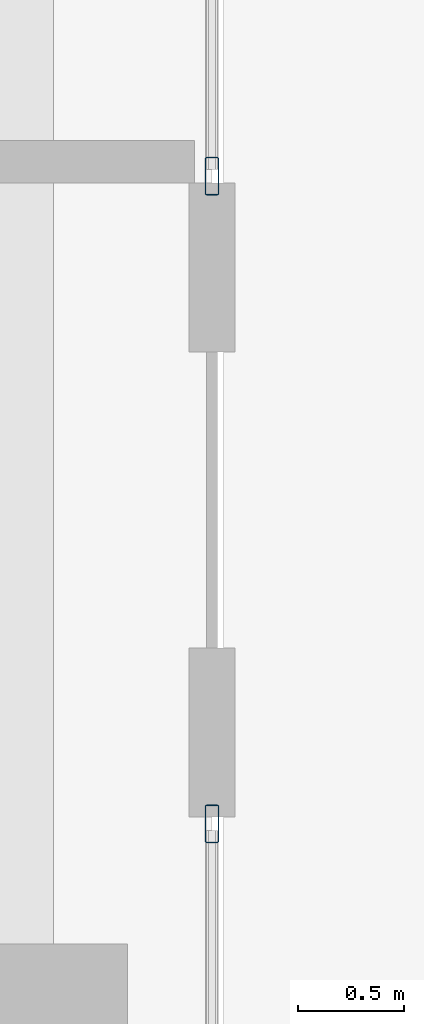
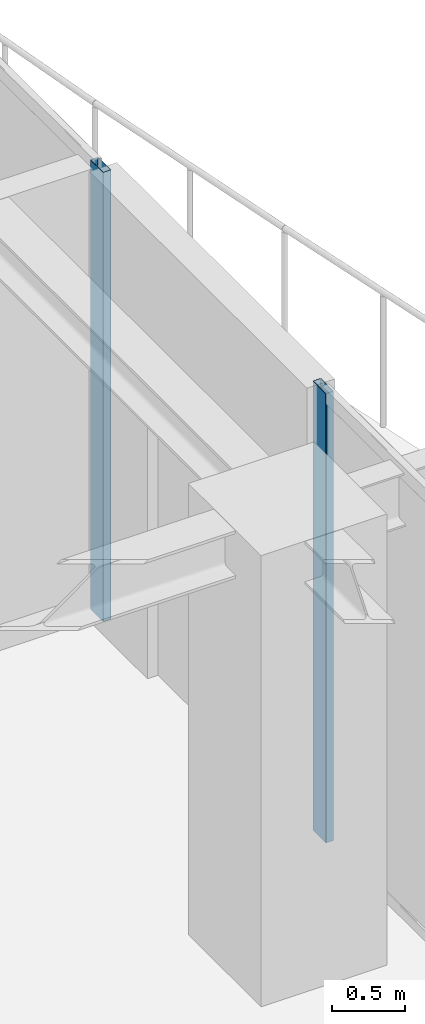
# One storey, part 18 of 40: 2 members, 2 elements without a shape of their own.
"""IFC4 building model written with IfcOpenShell, lengths in metres."""

from ifc_helpers import new_model, si_unit, direction, frame, origin, origin_2d, place, context, subcontext, project, spatial, hollow_rectangle, extrude, source, transform, mapped, material, layer, layer_set, material_profile, profile_set, type_object, element, aggregate, save


model = new_model("IFC4")

# Units and contexts
model_context = context("Model", 3, precision=1e-05, world=origin(), true_north=direction((0.0, 1.0)))
body_context = subcontext(model_context, "Body", "Model", "MODEL_VIEW")
ifc_project = project(units=[si_unit("LENGTHUNIT", "METRE"), si_unit("AREAUNIT", "SQUARE_METRE"), si_unit("VOLUMEUNIT", "CUBIC_METRE"), si_unit("PLANEANGLEUNIT", "RADIAN"), si_unit("MASSUNIT", "GRAM", prefix="KILO")], contexts=[model_context])

# Site, building, storey
site_placement = place(None, origin())
site = spatial("IfcSite", under=ifc_project, at=site_placement, CompositionType="ELEMENT")
building_placement = place(site_placement, origin())
building = spatial("IfcBuilding", under=site, at=building_placement, Name="Serunith Strait Residences", CompositionType="ELEMENT")
storey_placement = place(building_placement, frame((0.0, 0.0, 313.699951171875)))
storey = spatial("IfcBuildingStorey", under=building, at=storey_placement, Name="L78", CompositionType="ELEMENT", Elevation=313.699951171875)

# Curtain wall, member
ifc_material = material(Name="Brushed Stainless-Silver Aluminium", Category="aluminium")
ifc_layer = layer(ifc_material, 0.199951171875, Name="Brushed Stainless-Silver Aluminium")
ifc_layer_set = layer_set([ifc_layer], Name="Brushed Stainless-Silver Aluminium")
curtain_wall_type = type_object("IfcCurtainWallType", Name="CW-SYS5", PredefinedType="NOTDEFINED", material=ifc_layer_set)
curtain_wall_1_placement = place(storey_placement, origin())
curtain_wall_1 = element("IfcCurtainWall", 1, at=curtain_wall_1_placement, inside=storey, type_object=curtain_wall_type, Name="L78 E Unitised Fritted Curtain Wall", PredefinedType="NOTDEFINED")
ifc_material_profile = material_profile(ifc_material, hollow_rectangle(XDim=0.06494140625, YDim=0.179931640625, WallThickness=0.00341796875, InnerFilletRadius=0.00537109375, OuterFilletRadius=0.0087890625, at=origin_2d()), Name="ALU 180x65x3.5")
ifc_profile_set = profile_set([ifc_material_profile], Name="Brushed Stainless-Silver Aluminium")
member_type = type_object("IfcMemberType", Name="CW-SYS5-MULL", PredefinedType="MULLION", material=ifc_profile_set)
shared_shape = source(origin(), body_context, "Body", "SweptSolid", [
    extrude(hollow_rectangle(XDim=0.06494140625, YDim=0.179931640625, WallThickness=0.00341796875, InnerFilletRadius=0.00537109375, OuterFilletRadius=0.0087890625, at=origin_2d()), origin(), (0.0, 0.0, 1.0), 3.775146484375),
])
member_1_placement = place(storey_placement, frame((55.60009765625, 30.467529296875, 0.0), z_axis=(0.0, 0.0, 1.0), x_axis=(-1.0, 0.0, 0.0)))
member_1 = element("IfcMember", 2, at=member_1_placement, type_object=member_type, Name="CW-5 mullion 4", PredefinedType="MULLION", context=body_context, shape_type="MappedRepresentation", body=[
    mapped(shared_shape, transform((0.0, 0.0, 0.0), scale=1.0)),
])
aggregate(curtain_wall_1, [member_1])

curtain_wall_2_placement = place(storey_placement, origin())
curtain_wall_2 = element("IfcCurtainWall", 3, at=curtain_wall_2_placement, inside=storey, type_object=curtain_wall_type, Name="L78 E Unitised Fritted Curtain Wall", PredefinedType="NOTDEFINED")
member_2_placement = place(storey_placement, frame((55.60009765625, 33.532470703125, 0.0), z_axis=(0.0, 0.0, 1.0), x_axis=(-1.0, 0.0, 0.0)))
member_2 = element("IfcMember", 4, at=member_2_placement, type_object=member_type, Name="CW-5 mullion 1", PredefinedType="MULLION", context=body_context, shape_type="MappedRepresentation", body=[
    mapped(shared_shape, transform((0.0, 0.0, 0.0), scale=1.0)),
])
aggregate(curtain_wall_2, [member_2])

save(model, "model.ifc")
